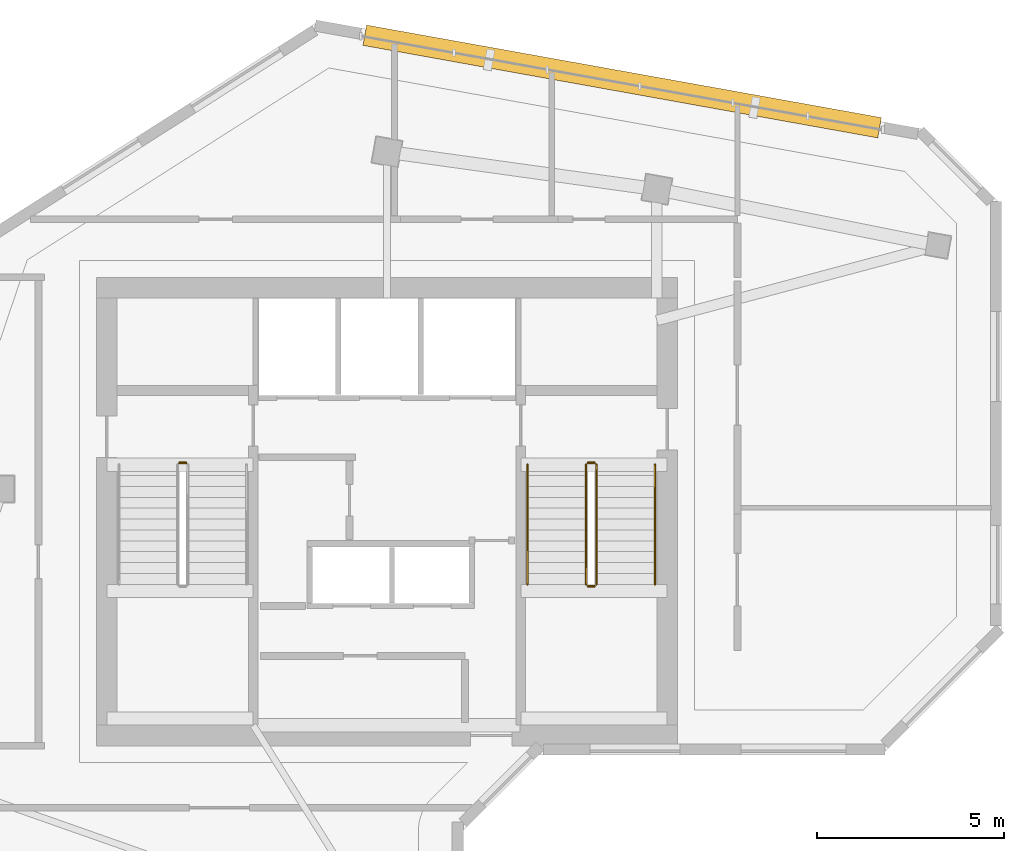
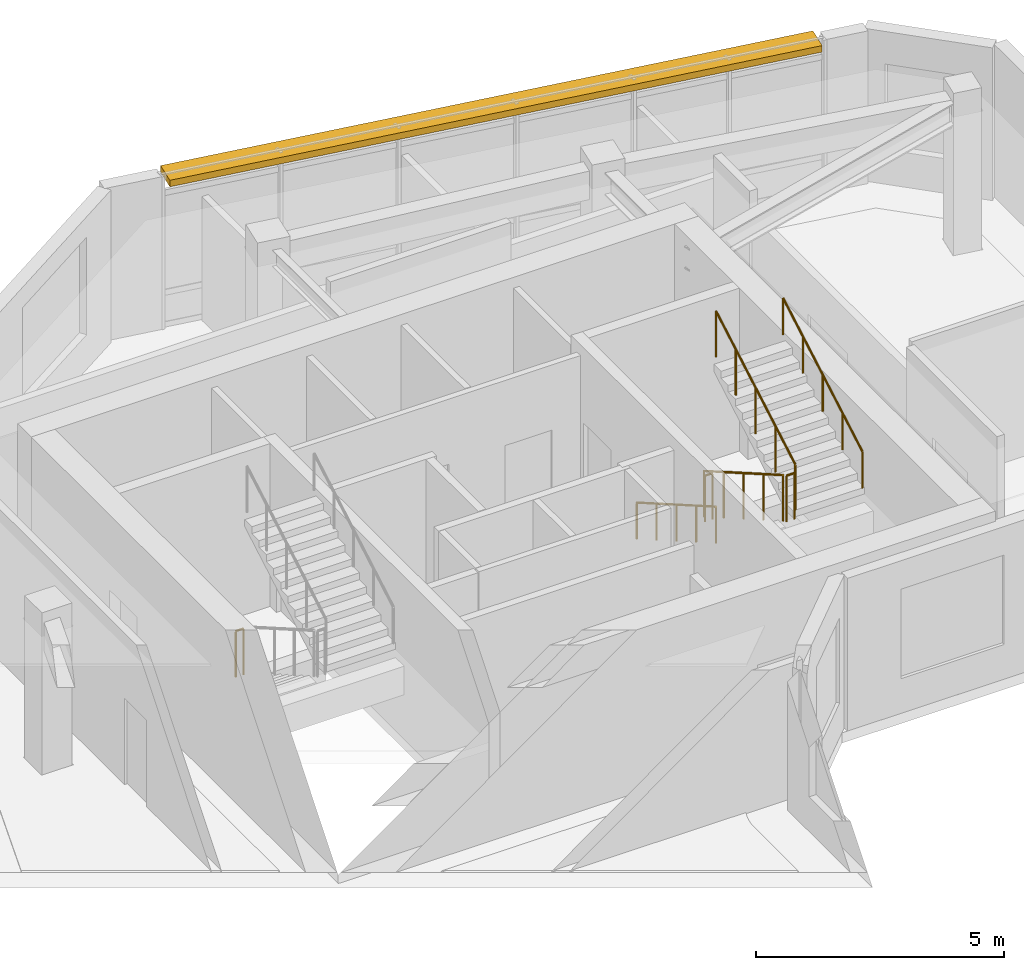
# One storey, part 8 of 8: 7 railings, 1 shading device.
"""IFC4 building model written with IfcOpenShell, lengths in metres."""

from ifc_helpers import new_model, si_unit, direction, frame, frame_2d, origin, origin_2d, place, context, subcontext, project, spatial, rectangle, circle, extrude, material, type_object, element, save


model = new_model("IFC4")

# Units and contexts
model_context = context("Model", 3, precision=1e-05, world=origin(), true_north=direction((0.0, 1.0)))
body_context = subcontext(model_context, "Body", "Model", "MODEL_VIEW")
ifc_project = project(units=[si_unit("LENGTHUNIT", "METRE"), si_unit("AREAUNIT", "SQUARE_METRE"), si_unit("VOLUMEUNIT", "CUBIC_METRE"), si_unit("PLANEANGLEUNIT", "RADIAN"), si_unit("MASSUNIT", "GRAM", prefix="KILO")], contexts=[model_context])

# Site, building, storey
site_placement = place(None, origin())
site = spatial("IfcSite", under=ifc_project, at=site_placement, CompositionType="ELEMENT")
building_placement = place(site_placement, origin())
building = spatial("IfcBuilding", under=site, at=building_placement, Name="Calvemar Wedge Station Tower", CompositionType="ELEMENT")
storey_placement = place(building_placement, frame((0.0, 0.0, 292.5)))
storey = spatial("IfcBuildingStorey", under=building, at=storey_placement, Name="L75", CompositionType="ELEMENT", Elevation=292.5)

# Railings
ifc_material_1 = material(Name="Stainless steel AISI 316L", Category="steel")
railing_type_1 = type_object("IfcRailingType", Name="RL-HANDRAIL-920", PredefinedType="HANDRAIL", material=ifc_material_1)
railing_1_placement = place(storey_placement, frame((27.550048828125, 41.14990234375, 0.166748046875)))
element("IfcRailing", 1, at=railing_1_placement, inside=storey, type_object=railing_type_1, Name="L75 ST-C2 stair handrail 1", PredefinedType="HANDRAIL", context=body_context, shape_type="SweptSolid", body=[
    extrude(circle(Radius=0.02392578125, at=origin_2d()), frame((0.0, 0.0, 0.89599609375), z_axis=(0.0, -0.867019545617, 0.498274128887), x_axis=(1.0, 0.0, 0.0)), (0.0, 0.0, 1.0), 3.67919921875),
    extrude(circle(Radius=0.02099609375, at=origin_2d()), origin(), (0.0, 0.0, 1.0), 0.871826171875),
    extrude(circle(Radius=0.02099609375, at=origin_2d()), frame((0.0, -0.79736328125, 0.458251953125)), (0.0, 0.0, 1.0), 0.871826171875),
    extrude(circle(Radius=0.02099609375, at=origin_2d()), frame((0.0, -1.594970703125, 0.91650390625)), (0.0, 0.0, 1.0), 0.871826171875),
    extrude(circle(Radius=0.02099609375, at=origin_2d()), frame((0.0, -2.392578125, 1.375)), (0.0, 0.0, 1.0), 0.871826171875),
    extrude(circle(Radius=0.02099609375, at=origin_2d()), frame((0.0, -3.18994140625, 1.833251953125)), (0.0, 0.0, 1.0), 0.871826171875),
])
railing_2_placement = place(storey_placement, frame((30.949951171875, 37.9599609375, 2.166748046875)))
element("IfcRailing", 2, at=railing_2_placement, inside=storey, type_object=railing_type_1, Name="L75 ST-C2 stair handrail 2", PredefinedType="HANDRAIL", context=body_context, shape_type="SweptSolid", body=[
    extrude(circle(Radius=0.02392578125, at=origin_2d()), frame((0.0, 0.0, 0.89599609375), z_axis=(0.0, 0.867019545617, 0.498274128887), x_axis=(-1.0, 0.0, 0.0)), (0.0, 0.0, 1.0), 3.67919921875),
    extrude(circle(Radius=0.02099609375, at=origin_2d()), origin(), (0.0, 0.0, 1.0), 0.871826171875),
    extrude(circle(Radius=0.02099609375, at=origin_2d()), frame((0.0, 0.79736328125, 0.458251953125)), (0.0, 0.0, 1.0), 0.871826171875),
    extrude(circle(Radius=0.02099609375, at=origin_2d()), frame((0.0, 1.594970703125, 0.91650390625)), (0.0, 0.0, 1.0), 0.871826171875),
    extrude(circle(Radius=0.02099609375, at=origin_2d()), frame((0.0, 2.392578125, 1.375)), (0.0, 0.0, 1.0), 0.871826171875),
    extrude(circle(Radius=0.02099609375, at=origin_2d()), frame((0.0, 3.18994140625, 1.833251953125)), (0.0, 0.0, 1.0), 0.871826171875),
])
ifc_material_2 = material(Name="Painted steel guardrail ASTM A500 Grade C", Category="steel")
railing_type_2 = type_object("IfcRailingType", Name="RL-STAIR-GUARD-1150", PredefinedType="GUARDRAIL", material=ifc_material_2)
railing_3_placement = place(storey_placement, frame((18.260009765625, 41.199951171875, 0.0)))
element("IfcRailing", 3, at=railing_3_placement, inside=storey, type_object=railing_type_2, Name="L75 ST-C1 stair guard 4", PredefinedType="GUARDRAIL", context=body_context, shape_type="SweptSolid", body=[
    extrude(circle(Radius=0.02392578125, at=origin_2d()), frame((0.0, 0.0, 1.1259765625), z_axis=(1.0, 0.0, 0.0), x_axis=(0.0, 1.0, 0.0)), (0.0, 0.0, 1.0), 0.179931640625),
    extrude(circle(Radius=0.02099609375, at=origin_2d()), origin(), (0.0, 0.0, 1.0), 1.101806640625),
    extrude(circle(Radius=0.02099609375, at=origin_2d()), frame((0.179931640625, 0.0, 0.0)), (0.0, 0.0, 1.0), 1.101806640625),
])
railing_4_placement = place(storey_placement, frame((29.110107421875, 41.14990234375, 0.166748046875)))
element("IfcRailing", 4, at=railing_4_placement, inside=storey, type_object=railing_type_2, Name="L75 ST-C2 stair guard 1", PredefinedType="GUARDRAIL", context=body_context, shape_type="SweptSolid", body=[
    extrude(circle(Radius=0.02392578125, at=origin_2d()), frame((0.0, 0.0, 1.1259765625), z_axis=(0.0, -0.867019545617, 0.498274128887), x_axis=(1.0, 0.0, 0.0)), (0.0, 0.0, 1.0), 3.67919921875),
    extrude(circle(Radius=0.02099609375, at=origin_2d()), origin(), (0.0, 0.0, 1.0), 1.101806640625),
    extrude(circle(Radius=0.02099609375, at=origin_2d()), frame((0.0, -0.79736328125, 0.458251953125)), (0.0, 0.0, 1.0), 1.101806640625),
    extrude(circle(Radius=0.02099609375, at=origin_2d()), frame((0.0, -1.594970703125, 0.91650390625)), (0.0, 0.0, 1.0), 1.101806640625),
    extrude(circle(Radius=0.02099609375, at=origin_2d()), frame((0.0, -2.392578125, 1.375)), (0.0, 0.0, 1.0), 1.101806640625),
    extrude(circle(Radius=0.02099609375, at=origin_2d()), frame((0.0, -3.18994140625, 1.833251953125)), (0.0, 0.0, 1.0), 1.101806640625),
])
railing_5_placement = place(storey_placement, frame((29.159912109375, 37.909912109375, 2.0)))
element("IfcRailing", 5, at=railing_5_placement, inside=storey, type_object=railing_type_2, Name="L75 ST-C2 stair guard 2", PredefinedType="GUARDRAIL", context=body_context, shape_type="SweptSolid", body=[
    extrude(circle(Radius=0.02392578125, at=origin_2d()), frame((0.0, 0.0, 1.1259765625), z_axis=(1.0, 0.0, 0.0), x_axis=(0.0, 1.0, 0.0)), (0.0, 0.0, 1.0), 0.18017578125),
    extrude(circle(Radius=0.02099609375, at=origin_2d()), origin(), (0.0, 0.0, 1.0), 1.101806640625),
    extrude(circle(Radius=0.02099609375, at=origin_2d()), frame((0.18017578125, 0.0, 0.0)), (0.0, 0.0, 1.0), 1.101806640625),
])
railing_6_placement = place(storey_placement, frame((29.389892578125, 37.9599609375, 2.166748046875)))
element("IfcRailing", 6, at=railing_6_placement, inside=storey, type_object=railing_type_2, Name="L75 ST-C2 stair guard 3", PredefinedType="GUARDRAIL", context=body_context, shape_type="SweptSolid", body=[
    extrude(circle(Radius=0.02392578125, at=origin_2d()), frame((0.0, 0.0, 1.1259765625), z_axis=(0.0, 0.867019545617, 0.498274128887), x_axis=(-1.0, 0.0, 0.0)), (0.0, 0.0, 1.0), 3.67919921875),
    extrude(circle(Radius=0.02099609375, at=origin_2d()), origin(), (0.0, 0.0, 1.0), 1.101806640625),
    extrude(circle(Radius=0.02099609375, at=origin_2d()), frame((0.0, 0.79736328125, 0.458251953125)), (0.0, 0.0, 1.0), 1.101806640625),
    extrude(circle(Radius=0.02099609375, at=origin_2d()), frame((0.0, 1.594970703125, 0.91650390625)), (0.0, 0.0, 1.0), 1.101806640625),
    extrude(circle(Radius=0.02099609375, at=origin_2d()), frame((0.0, 2.392578125, 1.375)), (0.0, 0.0, 1.0), 1.101806640625),
    extrude(circle(Radius=0.02099609375, at=origin_2d()), frame((0.0, 3.18994140625, 1.833251953125)), (0.0, 0.0, 1.0), 1.101806640625),
])
railing_7_placement = place(storey_placement, frame((29.159912109375, 41.199951171875, 0.0)))
element("IfcRailing", 7, at=railing_7_placement, inside=storey, type_object=railing_type_2, Name="L75 ST-C2 stair guard 4", PredefinedType="GUARDRAIL", context=body_context, shape_type="SweptSolid", body=[
    extrude(circle(Radius=0.02392578125, at=origin_2d()), frame((0.0, 0.0, 1.1259765625), z_axis=(1.0, 0.0, 0.0), x_axis=(0.0, 1.0, 0.0)), (0.0, 0.0, 1.0), 0.18017578125),
    extrude(circle(Radius=0.02099609375, at=origin_2d()), origin(), (0.0, 0.0, 1.0), 1.101806640625),
    extrude(circle(Radius=0.02099609375, at=origin_2d()), frame((0.18017578125, 0.0, 0.0)), (0.0, 0.0, 1.0), 1.101806640625),
])

# Shading device
ifc_material_3 = material(Name="Precast concrete C45", Category="concrete")
shading_device_type = type_object("IfcShadingDeviceType", Name="SHD-EYEBROW-1", PredefinedType="SHUTTER", material=ifc_material_3)
shading_device_placement = place(storey_placement, frame((36.942626953125, 50.141357421875, 3.570068359375), z_axis=(0.0, 0.0, 1.0), x_axis=(-0.984225696469, 0.176917433876, 0.0)))
element("IfcShadingDevice", 8, at=shading_device_placement, inside=storey, type_object=shading_device_type, Name="Storey L75 Bronze GFRC Solar Eyebrow 10", PredefinedType="SHUTTER", context=body_context, shape_type="SweptSolid", body=[
    extrude(rectangle(XDim=13.954345703125, YDim=0.550048828125, at=frame_2d((6.97705078125, 0.0))), origin(), (0.0, 0.0, 1.0), 0.159912109375),
])

save(model, "model.ifc")
